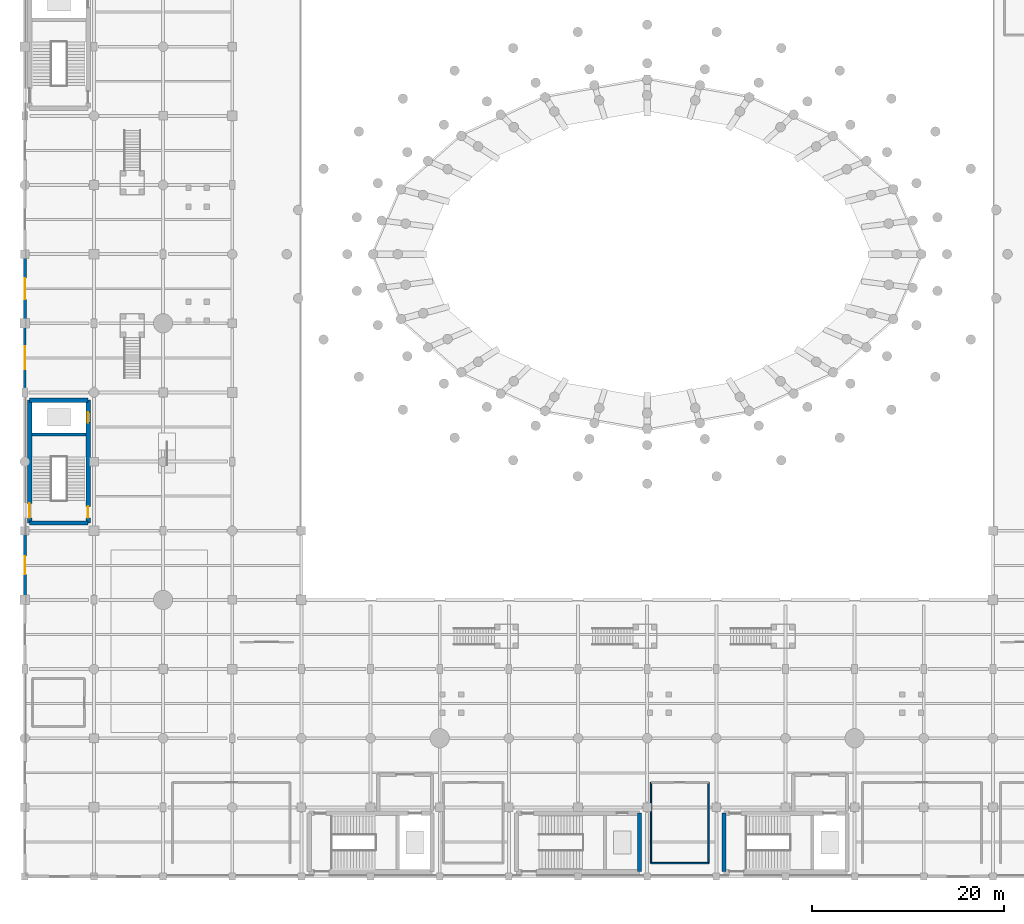
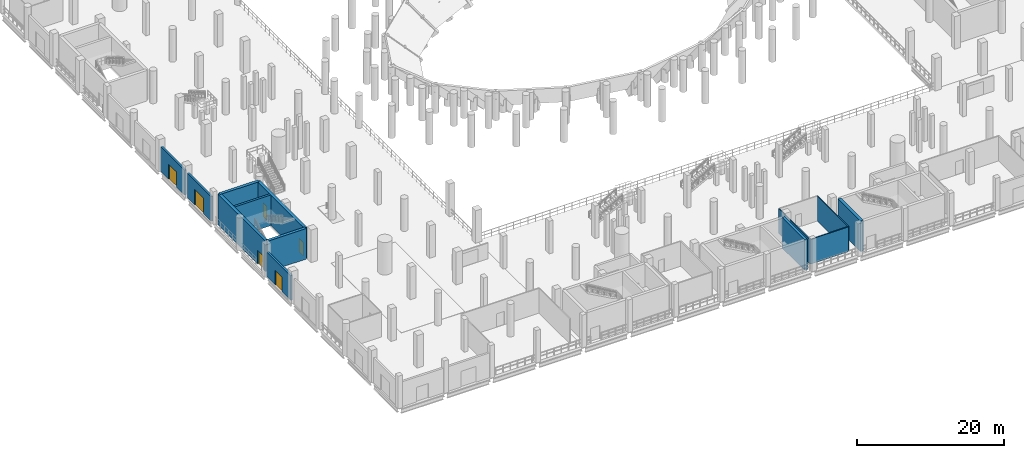
# One storey, part 33 of 58: 13 walls, 6 doors, 6 openings.
"""IFC4 building model written with IfcOpenShell, lengths in metres."""

from ifc_helpers import new_model, si_unit, direction, frame, frame_2d, origin, place, context, subcontext, project, spatial, rectangle, extrude, material, layer, layer_set, type_object, element, fill, save


model = new_model("IFC4")

# Units and contexts
model_context = context("Model", 3, precision=1e-05, world=origin(), true_north=direction((0.0, 1.0)))
body_context = subcontext(model_context, "Body", "Model", "MODEL_VIEW")
ifc_project = project(units=[si_unit("LENGTHUNIT", "METRE"), si_unit("AREAUNIT", "SQUARE_METRE"), si_unit("VOLUMEUNIT", "CUBIC_METRE"), si_unit("PLANEANGLEUNIT", "RADIAN"), si_unit("MASSUNIT", "GRAM", prefix="KILO")], contexts=[model_context])

# Site, building, storey
site_placement = place(None, origin())
site = spatial("IfcSite", under=ifc_project, at=site_placement, CompositionType="ELEMENT")
building_placement = place(site_placement, origin())
building = spatial("IfcBuilding", under=site, at=building_placement, Name="Qandorah Velis Arena", CompositionType="ELEMENT")
storey_placement = place(building_placement, origin())
storey = spatial("IfcBuildingStorey", under=building, at=storey_placement, Name="L00", CompositionType="ELEMENT", Elevation=0.0)

# Wall, opening, door
ifc_material_1 = material(Name="Precast concrete C40/50", Category="concrete")
ifc_layer_1 = layer(ifc_material_1, 0.2900390625)
ifc_layer_set_1 = layer_set([ifc_layer_1], Name="Precast concrete C40/50")
wall_type_1 = type_object("IfcWallType", Name="ARC-WAL-EXT290", PredefinedType="SOLIDWALL", material=ifc_layer_set_1)
wall_1_placement = place(storey_placement, frame((0.0, 50.75, 0.0), z_axis=(0.0, 0.0, 1.0), x_axis=(0.0, 1.0, 0.0)))
wall_1 = element("IfcWall", 1, at=wall_1_placement, inside=storey, type_object=wall_type_1, Name="Perimeter concourse exit wall G05", PredefinedType="SOLIDWALL", context=body_context, shape_type="SweptSolid", body=[
    extrude(rectangle(XDim=6.5, YDim=0.2900390625, at=frame_2d((3.25, 0.0))), origin(), (0.0, 0.0, 1.0), 4.10009765625),
])
opening_1_placement = place(wall_1_placement, frame((2.050048828125, 0.0, 0.0)))
opening_1 = element("IfcOpeningElement", 2, at=opening_1_placement, cuts=wall_1, Name="Opening G5", PredefinedType="OPENING", context=body_context, shape_type="SweptSolid", body=[
    extrude(rectangle(XDim=2.39990234375, YDim=2.60009765625, at=frame_2d((1.199951171875, 1.300048828125))), frame((0.0, 0.155029296875, 0.0), z_axis=(0.0, -1.0, 0.0), x_axis=(1.0, 0.0, 0.0)), (0.0, 0.0, 1.0), 0.31005859375),
])
ifc_material_2 = material(Name="Insulated galvanized steel exit door", Category="steel")
door_type_1 = type_object("IfcDoorType", Name="ARC-DR-EXT2400", OperationType="NOTDEFINED", PredefinedType="DOOR", material=ifc_material_2)
door_1_placement = place(opening_1_placement, origin())
door_1 = element("IfcDoor", 3, at=door_1_placement, inside=storey, type_object=door_type_1, Name="Pedestrian exit door G5", OperationType="SINGLE_SWING_RIGHT", OverallHeight=2.60009765625, OverallWidth=2.39990234375, PredefinedType="DOOR", context=body_context, shape_type="SweptSolid", body=[
    extrude(rectangle(XDim=2.39990234375, YDim=2.60009765625, at=frame_2d((1.199951171875, 1.300048828125))), frame((0.0, 0.02490234375, 0.0), z_axis=(0.0, -1.0, 0.0), x_axis=(1.0, 0.0, 0.0)), (0.0, 0.0, 1.0), 0.050048828125),
])
fill(opening_1, door_1)

ifc_layer_2 = layer(ifc_material_1, 0.31005859375)
ifc_layer_set_2 = layer_set([ifc_layer_2], Name="Precast concrete C40/50")
wall_type_2 = type_object("IfcWallType", Name="ARC-WAL-EXT310", PredefinedType="SOLIDWALL", material=ifc_layer_set_2)
wall_2_placement = place(storey_placement, frame((0.0, 29.14990234375, 0.0), z_axis=(0.0, 0.0, 1.0), x_axis=(0.0, 1.0, 0.0)))
wall_2 = element("IfcWall", 4, at=wall_2_placement, inside=storey, type_object=wall_type_2, Name="Perimeter concourse exit wall G04", PredefinedType="SOLIDWALL", context=body_context, shape_type="SweptSolid", body=[
    extrude(rectangle(XDim=6.5, YDim=0.31005859375, at=frame_2d((3.25, 0.0))), origin(), (0.0, 0.0, 1.0), 4.10009765625),
])
opening_2_placement = place(wall_2_placement, frame((2.300048828125, 0.0, 0.0)))
opening_2 = element("IfcOpeningElement", 5, at=opening_2_placement, cuts=wall_2, Name="Opening G4", PredefinedType="OPENING", context=body_context, shape_type="SweptSolid", body=[
    extrude(rectangle(XDim=1.89990234375, YDim=2.39990234375, at=frame_2d((0.949951171875, 1.199951171875))), frame((0.0, 0.1650390625, 0.0), z_axis=(0.0, -1.0, 0.0), x_axis=(1.0, 0.0, 0.0)), (0.0, 0.0, 1.0), 0.330078125),
])
door_type_2 = type_object("IfcDoorType", Name="ARC-DR-EXT1900", OperationType="NOTDEFINED", PredefinedType="DOOR", material=ifc_material_2)
door_2_placement = place(opening_2_placement, origin())
door_2 = element("IfcDoor", 6, at=door_2_placement, inside=storey, type_object=door_type_2, Name="Pedestrian exit door G4", OperationType="SINGLE_SWING_LEFT", OverallHeight=2.39990234375, OverallWidth=1.89990234375, PredefinedType="DOOR", context=body_context, shape_type="SweptSolid", body=[
    extrude(rectangle(XDim=1.89990234375, YDim=2.39990234375, at=frame_2d((0.949951171875, 1.199951171875))), frame((0.0, 0.02490234375, 0.0), z_axis=(0.0, -1.0, 0.0), x_axis=(1.0, 0.0, 0.0)), (0.0, 0.0, 1.0), 0.050048828125),
])
fill(opening_2, door_2)

wall_3_placement = place(storey_placement, frame((0.0, 57.949951171875, 0.0), z_axis=(0.0, 0.0, 1.0), x_axis=(0.0, 1.0, 0.0)))
wall_3 = element("IfcWall", 7, at=wall_3_placement, inside=storey, type_object=wall_type_2, Name="Perimeter concourse exit wall G06", PredefinedType="SOLIDWALL", context=body_context, shape_type="SweptSolid", body=[
    extrude(rectangle(XDim=6.5, YDim=0.31005859375, at=frame_2d((3.25, 0.0))), origin(), (0.0, 0.0, 1.0), 4.10009765625),
])
opening_3_placement = place(wall_3_placement, frame((2.14990234375, 0.0, 0.0)))
opening_3 = element("IfcOpeningElement", 8, at=opening_3_placement, cuts=wall_3, Name="Opening G6", PredefinedType="OPENING", context=body_context, shape_type="SweptSolid", body=[
    extrude(rectangle(XDim=2.199951171875, YDim=2.5, at=frame_2d((1.10009765625, 1.25))), frame((0.0, 0.1650390625, 0.0), z_axis=(0.0, -1.0, 0.0), x_axis=(1.0, 0.0, 0.0)), (0.0, 0.0, 1.0), 0.330078125),
])
door_type_3 = type_object("IfcDoorType", Name="ARC-DR-EXT2200", OperationType="NOTDEFINED", PredefinedType="DOOR", material=ifc_material_2)
door_3_placement = place(opening_3_placement, origin())
door_3 = element("IfcDoor", 9, at=door_3_placement, inside=storey, type_object=door_type_3, Name="Pedestrian exit door G6", OperationType="SINGLE_SWING_LEFT", OverallHeight=2.5, OverallWidth=2.199951171875, PredefinedType="DOOR", context=body_context, shape_type="SweptSolid", body=[
    extrude(rectangle(XDim=2.199951171875, YDim=2.5, at=frame_2d((1.10009765625, 1.25))), frame((0.0, 0.02490234375, 0.0), z_axis=(0.0, -1.0, 0.0), x_axis=(1.0, 0.0, 0.0)), (0.0, 0.0, 1.0), 0.050048828125),
])
fill(opening_3, door_3)

# Walls
ifc_material_3 = material(Name="Concrete C35/45", Category="concrete")
ifc_layer_3 = layer(ifc_material_3, 0.14990234375)
ifc_layer_set_3 = layer_set([ifc_layer_3], Name="Concrete C35/45")
wall_type_3 = type_object("IfcWallType", Name="ARC-WAL-PART150", PredefinedType="PARTITIONING", material=ifc_layer_set_3)
wall_4_placement = place(storey_placement, frame((65.199951171875, 1.39990234375, 0.0), z_axis=(0.0, 0.0, 1.0), x_axis=(1.0, 0.0, 0.0)))
element("IfcWall", 10, at=wall_4_placement, inside=storey, type_object=wall_type_3, Name="Interior partition L00-L00-FWC1 (S)", PredefinedType="PARTITIONING", context=body_context, shape_type="SweptSolid", body=[
    extrude(rectangle(XDim=6.0, YDim=0.14990234375, at=frame_2d((3.0, 0.0))), origin(), (0.0, 0.0, 1.0), 4.10009765625),
])
for number, where, z_axis, x_axis, name in (
    (11, (71.199951171875, 1.39990234375, 0.0), (0.0, 0.0, 1.0), (0.0, 1.0, 0.0), "Interior partition L00-L00-FWC1 (E)"),
    (12, (65.199951171875, 9.800048828125, 0.0), (0.0, 0.0, 1.0), (0.0, -1.0, 0.0), "Interior partition L00-L00-FWC1 (W)"),
):
    element("IfcWall", number, at=place(storey_placement, frame(where, z_axis=z_axis, x_axis=x_axis)), inside=storey, type_object=wall_type_3, Name=name, PredefinedType="PARTITIONING", context=body_context, shape_type="SweptSolid", body=[
        extrude(rectangle(XDim=8.400146484375, YDim=0.14990234375, at=frame_2d((4.2001953125, 0.0))), origin(), (0.0, 0.0, 1.0), 4.10009765625),
    ])
ifc_material_4 = material(Name="Concrete C40/50", Category="concrete")
ifc_layer_4 = layer(ifc_material_4, 0.449951171875)
ifc_layer_set_4 = layer_set([ifc_layer_4], Name="Concrete C40/50")
wall_type_4 = type_object("IfcWallType", Name="STR-WAL-CORE450", PredefinedType="SHEAR", material=ifc_layer_set_4)
for number, where, z_axis, x_axis, name in (
    (13, (72.800048828125, 0.5, 0.0), (0.0, 0.0, 1.0), (0.0, 1.0, 0.0), "Core CORE-02 shear wall W (L00)"),
    (14, (0.5, 36.800048828125, 0.0), (0.0, 0.0, 1.0), (1.0, 0.0, 0.0), "Core CORE-05 shear wall S (L00)"),
    (15, (0.5, 49.60009765625, 0.0), (0.0, 0.0, 1.0), (1.0, 0.0, 0.0), "Core CORE-05 shear wall N (L00)"),
):
    element("IfcWall", number, at=place(storey_placement, frame(where, z_axis=z_axis, x_axis=x_axis)), inside=storey, type_object=wall_type_4, Name=name, PredefinedType="SHEAR", context=body_context, shape_type="SweptSolid", body=[
        extrude(rectangle(XDim=6.10009765625, YDim=0.449951171875, at=frame_2d((3.050048828125, 0.0))), origin(), (0.0, 0.0, 1.0), 5.06005859375),
    ])

# Wall, opening, door
wall_5_placement = place(storey_placement, frame((0.5, 36.800048828125, 0.0), z_axis=(0.0, 0.0, 1.0), x_axis=(0.0, 1.0, 0.0)))
wall_5 = element("IfcWall", 16, at=wall_5_placement, inside=storey, type_object=wall_type_4, Name="Core CORE-05 shear wall W (L00)", PredefinedType="SHEAR", context=body_context, shape_type="SweptSolid", body=[
    extrude(rectangle(XDim=12.800048828125, YDim=0.449951171875, at=frame_2d((6.39990234375, 0.0))), origin(), (0.0, 0.0, 1.0), 5.06005859375),
])
opening_4_placement = place(wall_5_placement, frame((0.550048828125, 0.0, 0.0)))
opening_4 = element("IfcOpeningElement", 17, at=opening_4_placement, cuts=wall_5, Name="Opening SD2", PredefinedType="OPENING", context=body_context, shape_type="SweptSolid", body=[
    extrude(rectangle(XDim=1.5, YDim=2.25, at=frame_2d((0.75, 1.125))), frame((0.0, 0.23486328125, 0.0), z_axis=(0.0, -1.0, 0.0), x_axis=(1.0, 0.0, 0.0)), (0.0, 0.0, 1.0), 0.469970703125),
])
ifc_material_5 = material(Name="Self-closing fire-rated stair exit door")
door_type_4 = type_object("IfcDoorType", Name="ARC-DR-ST1500", OperationType="NOTDEFINED", PredefinedType="DOOR", material=ifc_material_5)
door_4_placement = place(opening_4_placement, origin())
door_4 = element("IfcDoor", 18, at=door_4_placement, inside=storey, type_object=door_type_4, Name="Stair ST5 final exit discharge door", OperationType="SINGLE_SWING_RIGHT", OverallHeight=2.25, OverallWidth=1.5, PredefinedType="DOOR", context=body_context, shape_type="SweptSolid", body=[
    extrude(rectangle(XDim=1.5, YDim=2.25, at=frame_2d((0.75, 1.125))), frame((0.0, 0.02490234375, 0.0), z_axis=(0.0, -1.0, 0.0), x_axis=(1.0, 0.0, 0.0)), (0.0, 0.0, 1.0), 0.050048828125),
])
fill(opening_4, door_4)

# Wall, openings, doors
wall_6_placement = place(storey_placement, frame((6.60009765625, 36.800048828125, 0.0), z_axis=(0.0, 0.0, 1.0), x_axis=(0.0, 1.0, 0.0)))
wall_6 = element("IfcWall", 19, at=wall_6_placement, inside=storey, type_object=wall_type_4, Name="Core CORE-05 shear wall E (L00)", PredefinedType="SHEAR", context=body_context, shape_type="SweptSolid", body=[
    extrude(rectangle(XDim=12.800048828125, YDim=0.449951171875, at=frame_2d((6.39990234375, 0.0))), origin(), (0.0, 0.0, 1.0), 5.06005859375),
])
opening_5_placement = place(wall_6_placement, frame((0.550048828125, 0.0, 0.0)))
opening_5 = element("IfcOpeningElement", 20, at=opening_5_placement, cuts=wall_6, Name="Opening SD1", PredefinedType="OPENING", context=body_context, shape_type="SweptSolid", body=[
    extrude(rectangle(XDim=1.199951171875, YDim=2.25, at=frame_2d((0.60009765625, 1.125))), frame((0.0, 0.23486328125, 0.0), z_axis=(0.0, -1.0, 0.0), x_axis=(1.0, 0.0, 0.0)), (0.0, 0.0, 1.0), 0.469970703125),
])
opening_6_placement = place(wall_6_placement, frame((10.4580078125, 0.0, 0.0)))
opening_6 = element("IfcOpeningElement", 21, at=opening_6_placement, cuts=wall_6, Name="Opening LD1", PredefinedType="OPENING", context=body_context, shape_type="SweptSolid", body=[
    extrude(rectangle(XDim=1.10009765625, YDim=2.199951171875, at=frame_2d((0.550048828125, 1.10009765625))), frame((0.0, 0.23486328125, 0.0), z_axis=(0.0, -1.0, 0.0), x_axis=(1.0, 0.0, 0.0)), (0.0, 0.0, 1.0), 0.469970703125),
])
ifc_material_6 = material(Name="Stainless steel sliding lift landing door", Category="steel")
door_type_5 = type_object("IfcDoorType", Name="ARC-DR-LD1100", OperationType="NOTDEFINED", PredefinedType="DOOR", material=ifc_material_6)
door_5_placement = place(opening_6_placement, origin())
door_5 = element("IfcDoor", 22, at=door_5_placement, inside=storey, type_object=door_type_5, Name="Lift PL3 sliding landing door (L00)", OperationType="SLIDING_TO_RIGHT", OverallHeight=2.199951171875, OverallWidth=1.10009765625, PredefinedType="DOOR", context=body_context, shape_type="SweptSolid", body=[
    extrude(rectangle(XDim=1.10009765625, YDim=2.199951171875, at=frame_2d((0.550048828125, 1.10009765625))), frame((0.0, 0.02490234375, 0.0), z_axis=(0.0, -1.0, 0.0), x_axis=(1.0, 0.0, 0.0)), (0.0, 0.0, 1.0), 0.050048828125),
])
fill(opening_6, door_5)
ifc_material_7 = material(Name="Self-closing fire-rated stair steel door", Category="steel")
door_type_6 = type_object("IfcDoorType", Name="ARC-DR-ST1200", OperationType="NOTDEFINED", PredefinedType="DOOR", material=ifc_material_7)
door_6_placement = place(opening_5_placement, frame((1.199951171875, 0.0, 0.0), z_axis=(0.0, 0.0, 1.0), x_axis=(-1.0, 0.0, 0.0)))
door_6 = element("IfcDoor", 23, at=door_6_placement, inside=storey, type_object=door_type_6, Name="Stair ST5 fire door (L00)", OperationType="SINGLE_SWING_LEFT", OverallHeight=2.25, OverallWidth=1.199951171875, PredefinedType="DOOR", context=body_context, shape_type="SweptSolid", body=[
    extrude(rectangle(XDim=1.199951171875, YDim=2.25, at=frame_2d((0.60009765625, 1.125))), frame((0.0, 0.02490234375, 0.0), z_axis=(0.0, -1.0, 0.0), x_axis=(1.0, 0.0, 0.0)), (0.0, 0.0, 1.0), 0.050048828125),
])
fill(opening_5, door_6)

# Walls
wall_7_placement = place(storey_placement, frame((64.0, 0.5, 0.0), z_axis=(0.0, 0.0, 1.0), x_axis=(0.0, 1.0, 0.0)))
element("IfcWall", 24, at=wall_7_placement, inside=storey, type_object=wall_type_4, Name="Core CORE-09 shear wall E (L00)", PredefinedType="SHEAR", context=body_context, shape_type="SweptSolid", body=[
    extrude(rectangle(XDim=6.10009765625, YDim=0.449951171875, at=frame_2d((3.050048828125, 0.0))), origin(), (0.0, 0.0, 1.0), 5.06005859375),
])
ifc_layer_5 = layer(ifc_material_4, 0.35009765625)
ifc_layer_set_5 = layer_set([ifc_layer_5], Name="Concrete C40/50")
wall_type_5 = type_object("IfcWallType", Name="STR-WAL-SH350", PredefinedType="SHEAR", material=ifc_layer_set_5)
wall_8_placement = place(storey_placement, frame((0.72509765625, 46.01611328125, 0.0), z_axis=(0.0, 0.0, 1.0), x_axis=(1.0, 0.0, 0.0)))
element("IfcWall", 25, at=wall_8_placement, inside=storey, type_object=wall_type_5, Name="Core CORE-05 shaft divider shear wall (L00)", PredefinedType="SHEAR", context=body_context, shape_type="SweptSolid", body=[
    extrude(rectangle(XDim=5.64990234375, YDim=0.35009765625, at=frame_2d((2.824951171875, 0.0))), origin(), (0.0, 0.0, 1.0), 5.06005859375),
])

save(model, "model.ifc")
